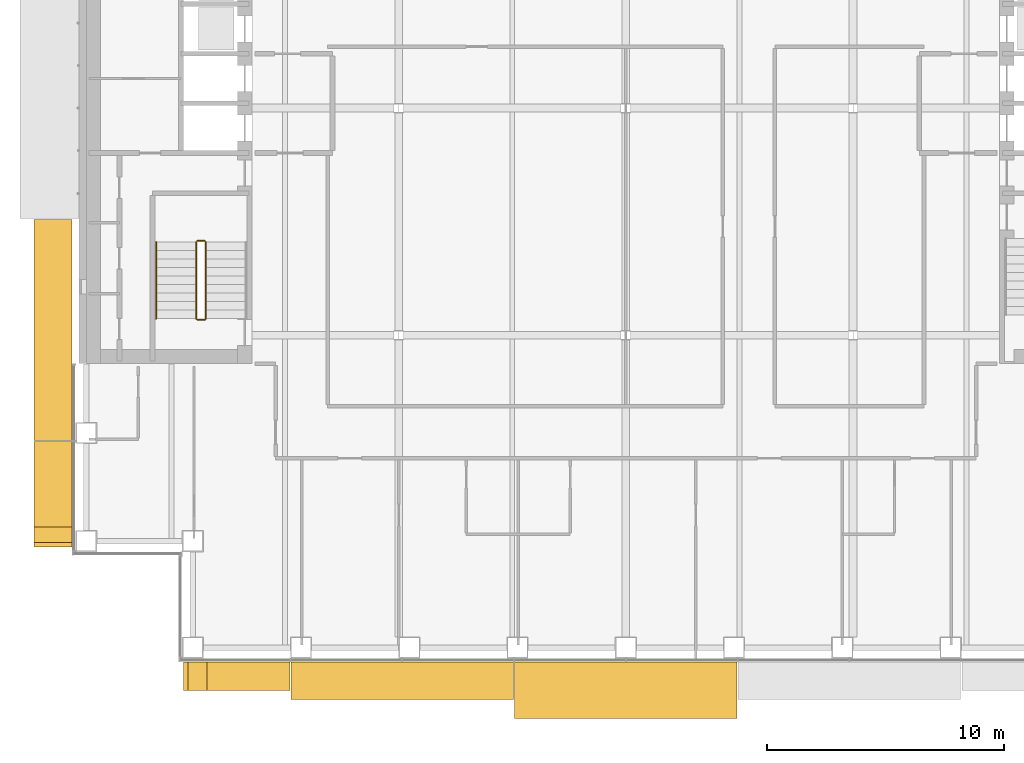
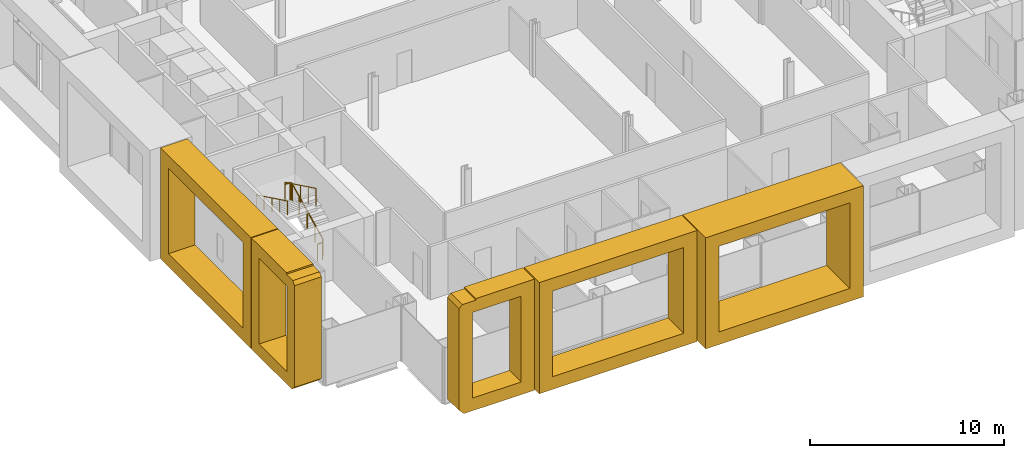
# One storey, part 15 of 20: 5 coverings, 5 railings.
"""IFC4 building model written with IfcOpenShell, lengths in metres."""

from ifc_helpers import new_model, si_unit, direction, frame, origin, origin_2d, place, context, subcontext, project, spatial, polyline, circle, outline, extrude, material, type_object, element, save


model = new_model("IFC4")

# Units and contexts
model_context = context("Model", 3, precision=1e-05, world=origin(), true_north=direction((0.0, 1.0)))
body_context = subcontext(model_context, "Body", "Model", "MODEL_VIEW")
ifc_project = project(units=[si_unit("LENGTHUNIT", "METRE"), si_unit("AREAUNIT", "SQUARE_METRE"), si_unit("VOLUMEUNIT", "CUBIC_METRE"), si_unit("PLANEANGLEUNIT", "RADIAN"), si_unit("MASSUNIT", "GRAM", prefix="KILO")], contexts=[model_context])

# Site, building, storey
site_placement = place(None, origin())
site = spatial("IfcSite", under=ifc_project, at=site_placement, CompositionType="ELEMENT")
building_placement = place(site_placement, origin())
building = spatial("IfcBuilding", under=site, at=building_placement, Name="Cobrizo Arcos Hotel Tower", CompositionType="ELEMENT")
storey_placement = place(building_placement, frame((0.0, 0.0, 110.0)))
storey = spatial("IfcBuildingStorey", under=building, at=storey_placement, Name="L27", CompositionType="ELEMENT", Elevation=110.0)

# Coverings
ifc_material_1 = material(Name="Aluminium 6063-T6 anodised bronze", Category="aluminium")
covering_type_1 = type_object("IfcCoveringType", Name="FIN-F 1200", PredefinedType="CLADDING", material=ifc_material_1)
covering_1_placement = place(storey_placement, frame((-18.699951171875, -23.39990234375, 0.0), z_axis=(0.0, -1.0, 0.0), x_axis=(1.0, 0.0, 0.0)))
element("IfcCovering", 1, at=covering_1_placement, inside=storey, type_object=covering_type_1, Name="Fin frame 138", PredefinedType="CLADDING", context=body_context, shape_type="SweptSolid", body=[
    extrude(outline(polyline([(4.5, 7.0), (1.001953125, 7.0), (1.001953125, 6.89794921875), (0.197998046875, 6.89794921875), (0.0, 6.699951171875), (0.0, 0.300048828125), (0.300048828125, 0.0), (4.5, 0.0), (4.5, 7.0)]), holes=[polyline([(3.699951171875, 0.800048828125), (0.800048828125, 0.800048828125), (0.800048828125, 6.199951171875), (3.699951171875, 6.199951171875), (3.699951171875, 0.800048828125)])]), origin(), (0.0, 0.0, 1.0), 1.2001953125),
])
covering_type_2 = type_object("IfcCoveringType", Name="FIN-F 1600", PredefinedType="CLADDING", material=ifc_material_1)
covering_2_placement = place(storey_placement, frame((-14.14990234375, -23.39990234375, 0.0), z_axis=(0.0, -1.0, 0.0), x_axis=(1.0, 0.0, 0.0)))
element("IfcCovering", 2, at=covering_2_placement, inside=storey, type_object=covering_type_2, Name="Fin frame 139", PredefinedType="CLADDING", context=body_context, shape_type="SweptSolid", body=[
    extrude(outline(polyline([(0.0, 7.0), (0.0, 0.0), (9.39990234375, 0.0), (9.39990234375, 7.0), (0.0, 7.0)]), holes=[polyline([(8.60009765625, 0.800048828125), (0.800048828125, 0.800048828125), (0.800048828125, 6.199951171875), (8.60009765625, 6.199951171875), (8.60009765625, 0.800048828125)])]), origin(), (0.0, 0.0, 1.0), 1.60009765625),
])
covering_3_placement = place(storey_placement, frame((-23.39990234375, -4.71240234375, 0.0), z_axis=(-1.0, 0.0, 0.0), x_axis=(0.0, -1.0, 0.0)))
element("IfcCovering", 3, at=covering_3_placement, inside=storey, type_object=covering_type_2, Name="Fin frame 162", PredefinedType="CLADDING", context=body_context, shape_type="SweptSolid", body=[
    extrude(outline(polyline([(0.0, 7.0), (0.0, 0.0), (9.324951171875, 0.0), (9.324951171875, 7.0), (0.0, 7.0)]), holes=[polyline([(8.52490234375, 0.800048828125), (0.800048828125, 0.800048828125), (0.800048828125, 6.199951171875), (8.52490234375, 6.199951171875), (8.52490234375, 0.800048828125)])]), origin(), (0.0, 0.0, 1.0), 1.60009765625),
])
covering_4_placement = place(storey_placement, frame((-23.39990234375, -14.08740234375, 0.0), z_axis=(-1.0, 0.0, 0.0), x_axis=(0.0, -1.0, 0.0)))
element("IfcCovering", 4, at=covering_4_placement, inside=storey, type_object=covering_type_2, Name="Fin frame 163", PredefinedType="CLADDING", context=body_context, shape_type="SweptSolid", body=[
    extrude(outline(polyline([(4.46240234375, 6.699951171875), (4.264404296875, 6.89794921875), (3.610595703125, 6.89794921875), (3.610595703125, 7.0), (0.0, 7.0), (0.0, 0.0), (4.16259765625, 0.0), (4.46240234375, 0.300048828125), (4.46240234375, 6.699951171875)]), holes=[polyline([(3.66259765625, 0.800048828125), (0.800048828125, 0.800048828125), (0.800048828125, 6.199951171875), (3.66259765625, 6.199951171875), (3.66259765625, 0.800048828125)])]), origin(), (0.0, 0.0, 1.0), 1.60009765625),
])
covering_type_3 = type_object("IfcCoveringType", Name="FIN-F 2400", PredefinedType="CLADDING", material=ifc_material_1)
covering_5_placement = place(storey_placement, frame((-4.699951171875, -23.39990234375, 0.0), z_axis=(0.0, -1.0, 0.0), x_axis=(1.0, 0.0, 0.0)))
element("IfcCovering", 5, at=covering_5_placement, inside=storey, type_object=covering_type_3, Name="Fin frame 140", PredefinedType="CLADDING", context=body_context, shape_type="SweptSolid", body=[
    extrude(outline(polyline([(0.0, 7.0), (0.0, 0.0), (9.39990234375, 0.0), (9.39990234375, 7.0), (0.0, 7.0)]), holes=[polyline([(8.60009765625, 0.800048828125), (0.800048828125, 0.800048828125), (0.800048828125, 6.199951171875), (8.60009765625, 6.199951171875), (8.60009765625, 0.800048828125)])]), origin(), (0.0, 0.0, 1.0), 2.400146484375),
])

# Railings
ifc_material_2 = material(Name="Stainless steel railing", Category="steel")
railing_type_1 = type_object("IfcRailingType", Name="Stair guard 1100", PredefinedType="GUARDRAIL", material=ifc_material_2)
railing_1_placement = place(storey_placement, frame((-17.75, -8.89990234375, 0.175048828125)))
element("IfcRailing", 6, at=railing_1_placement, inside=storey, type_object=railing_type_1, Name="L27 ST-W stair guard 1", PredefinedType="GUARDRAIL", context=body_context, shape_type="SweptSolid", body=[
    extrude(circle(Radius=0.02392578125, at=origin_2d()), frame((0.0, 0.0, 1.076171875), z_axis=(0.0, 0.899372665325, 0.437182809435), x_axis=(-1.0, 0.0, 0.0)), (0.0, 0.0, 1.0), 3.6025390625),
    extrude(circle(Radius=0.02099609375, at=origin_2d()), origin(), (0.0, 0.0, 1.0), 1.052001953125),
    extrude(circle(Radius=0.02099609375, at=origin_2d()), frame((0.0, 0.81005859375, 0.393798828125)), (0.0, 0.0, 1.0), 1.052001953125),
    extrude(circle(Radius=0.02099609375, at=origin_2d()), frame((0.0, 1.6201171875, 0.78759765625)), (0.0, 0.0, 1.0), 1.052001953125),
    extrude(circle(Radius=0.02099609375, at=origin_2d()), frame((0.0, 2.429931640625, 1.18115234375)), (0.0, 0.0, 1.0), 1.052001953125),
    extrude(circle(Radius=0.02099609375, at=origin_2d()), frame((0.0, 3.239990234375, 1.574951171875)), (0.0, 0.0, 1.0), 1.052001953125),
])
railing_2_placement = place(storey_placement, frame((-17.800048828125, -5.610107421875, 1.75)))
element("IfcRailing", 7, at=railing_2_placement, inside=storey, type_object=railing_type_1, Name="L27 ST-W stair guard 2", PredefinedType="GUARDRAIL", context=body_context, shape_type="SweptSolid", body=[
    extrude(circle(Radius=0.02392578125, at=origin_2d()), frame((0.0, 0.0, 1.076171875), z_axis=(-1.0, 0.0, 0.0), x_axis=(0.0, -1.0, 0.0)), (0.0, 0.0, 1.0), 0.300048828125),
    extrude(circle(Radius=0.02099609375, at=origin_2d()), origin(), (0.0, 0.0, 1.0), 1.052001953125),
    extrude(circle(Radius=0.02099609375, at=origin_2d()), frame((-0.300048828125, 0.0, 0.0)), (0.0, 0.0, 1.0), 1.052001953125),
])
railing_3_placement = place(storey_placement, frame((-18.14990234375, -5.659912109375, 1.925048828125)))
element("IfcRailing", 8, at=railing_3_placement, inside=storey, type_object=railing_type_1, Name="L27 ST-W stair guard 3", PredefinedType="GUARDRAIL", context=body_context, shape_type="SweptSolid", body=[
    extrude(circle(Radius=0.02392578125, at=origin_2d()), frame((0.0, 0.0, 1.076171875), z_axis=(0.0, -0.899372665325, 0.437182809435), x_axis=(1.0, 0.0, 0.0)), (0.0, 0.0, 1.0), 3.6025390625),
    extrude(circle(Radius=0.02099609375, at=origin_2d()), origin(), (0.0, 0.0, 1.0), 1.052001953125),
    extrude(circle(Radius=0.02099609375, at=origin_2d()), frame((0.0, -0.81005859375, 0.393798828125)), (0.0, 0.0, 1.0), 1.052001953125),
    extrude(circle(Radius=0.02099609375, at=origin_2d()), frame((0.0, -1.6201171875, 0.78759765625)), (0.0, 0.0, 1.0), 1.052001953125),
    extrude(circle(Radius=0.02099609375, at=origin_2d()), frame((0.0, -2.429931640625, 1.18115234375)), (0.0, 0.0, 1.0), 1.052001953125),
    extrude(circle(Radius=0.02099609375, at=origin_2d()), frame((0.0, -3.239990234375, 1.574951171875)), (0.0, 0.0, 1.0), 1.052001953125),
])
railing_4_placement = place(storey_placement, frame((-17.800048828125, -8.949951171875, 0.0)))
element("IfcRailing", 9, at=railing_4_placement, inside=storey, type_object=railing_type_1, Name="L27 ST-W stair guard 4", PredefinedType="GUARDRAIL", context=body_context, shape_type="SweptSolid", body=[
    extrude(circle(Radius=0.02392578125, at=origin_2d()), frame((0.0, 0.0, 1.076171875), z_axis=(-1.0, 0.0, 0.0), x_axis=(0.0, -1.0, 0.0)), (0.0, 0.0, 1.0), 0.300048828125),
    extrude(circle(Radius=0.02099609375, at=origin_2d()), origin(), (0.0, 0.0, 1.0), 1.052001953125),
    extrude(circle(Radius=0.02099609375, at=origin_2d()), frame((-0.300048828125, 0.0, 0.0)), (0.0, 0.0, 1.0), 1.052001953125),
])
railing_type_2 = type_object("IfcRailingType", Name="Stair handrail", PredefinedType="HANDRAIL", material=ifc_material_2)
railing_5_placement = place(storey_placement, frame((-19.85009765625, -5.659912109375, 1.925048828125)))
element("IfcRailing", 10, at=railing_5_placement, inside=storey, type_object=railing_type_2, Name="L27 ST-W stair handrail 2", PredefinedType="HANDRAIL", context=body_context, shape_type="SweptSolid", body=[
    extrude(circle(Radius=0.02392578125, at=origin_2d()), frame((0.0, 0.0, 0.8759765625), z_axis=(0.0, -0.899372665325, 0.437182809435), x_axis=(1.0, 0.0, 0.0)), (0.0, 0.0, 1.0), 3.6025390625),
    extrude(circle(Radius=0.02099609375, at=origin_2d()), origin(), (0.0, 0.0, 1.0), 0.851806640625),
    extrude(circle(Radius=0.02099609375, at=origin_2d()), frame((0.0, -0.81005859375, 0.393798828125)), (0.0, 0.0, 1.0), 0.851806640625),
    extrude(circle(Radius=0.02099609375, at=origin_2d()), frame((0.0, -1.6201171875, 0.78759765625)), (0.0, 0.0, 1.0), 0.851806640625),
    extrude(circle(Radius=0.02099609375, at=origin_2d()), frame((0.0, -2.429931640625, 1.18115234375)), (0.0, 0.0, 1.0), 0.851806640625),
    extrude(circle(Radius=0.02099609375, at=origin_2d()), frame((0.0, -3.239990234375, 1.574951171875)), (0.0, 0.0, 1.0), 0.851806640625),
])

save(model, "model.ifc")
